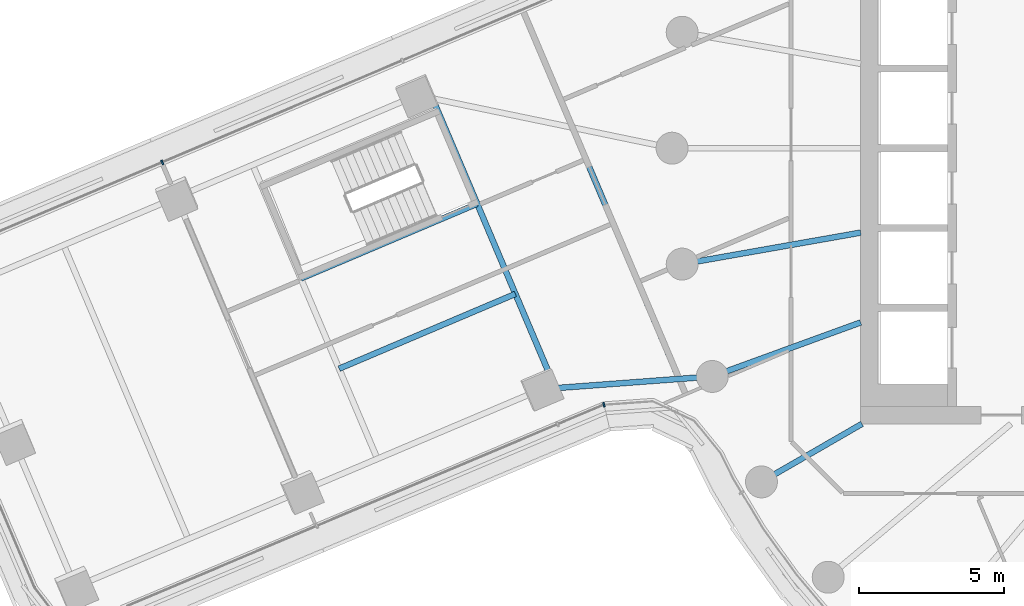
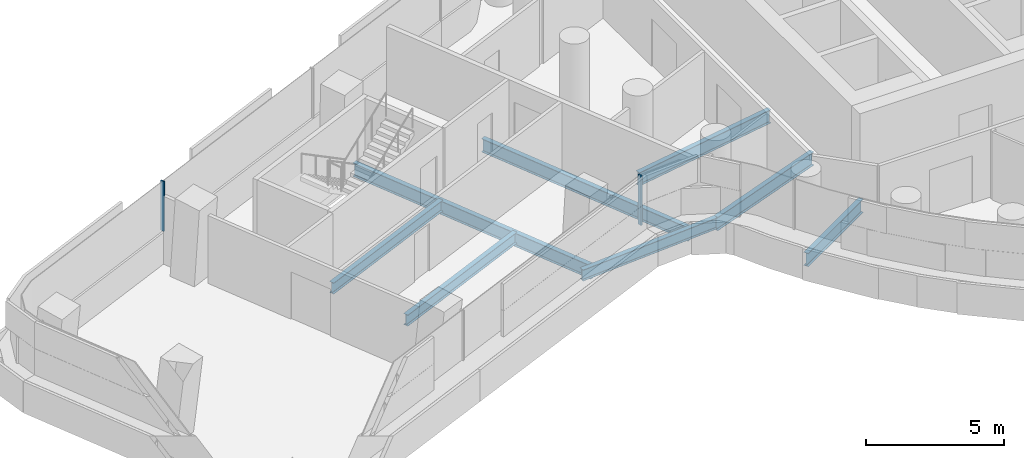
# One storey, part 6 of 35: 8 beams, 2 members, 2 elements without a shape of their own.
"""IFC4 building model written with IfcOpenShell, lengths in metres."""

from ifc_helpers import new_model, si_unit, direction, frame, origin, origin_2d, place, context, subcontext, project, spatial, rectangle, i_section, extrude, material, layer, layer_set, material_profile, profile_set, type_object, element, aggregate, save


model = new_model("IFC4")

# Units and contexts
model_context = context("Model", 3, precision=1e-05, world=origin(), true_north=direction((0.0, 1.0)))
body_context = subcontext(model_context, "Body", "Model", "MODEL_VIEW")
ifc_project = project(units=[si_unit("LENGTHUNIT", "METRE"), si_unit("AREAUNIT", "SQUARE_METRE"), si_unit("VOLUMEUNIT", "CUBIC_METRE"), si_unit("PLANEANGLEUNIT", "RADIAN"), si_unit("MASSUNIT", "GRAM", prefix="KILO")], contexts=[model_context])

# Site, building, storey
site_placement = place(None, origin())
site = spatial("IfcSite", under=ifc_project, at=site_placement, CompositionType="ELEMENT")
building_placement = place(site_placement, origin())
building = spatial("IfcBuilding", under=site, at=building_placement, Name="Tamarind Cross Interchange Tower", CompositionType="ELEMENT")
storey_placement = place(building_placement, frame((0.0, 0.0, 117.25)))
storey = spatial("IfcBuildingStorey", under=building, at=storey_placement, Name="L28", CompositionType="ELEMENT", Elevation=117.25)

# Beams
ifc_material_1 = material(Name="Steel Q355B", Category="steel")
ifc_material_profile_1 = material_profile(ifc_material_1, i_section(OverallWidth=0.198974609375, OverallDepth=0.49609375, WebThickness=0.009033203125, FlangeThickness=0.013916015625, FilletRadius=0.012939453125, at=origin_2d()), Name="HN 496x199x9x14")
ifc_profile_set_1 = profile_set([ifc_material_profile_1], Name="Steel Q355B")
beam_type_1 = type_object("IfcBeamType", Name="Composite beam HN 496x199x9x14 Q355B", PredefinedType="BEAM", material=ifc_profile_set_1)
beam_1_placement = place(storey_placement, frame((-27.4931640625, -8.304443359375, -0.387939453125), z_axis=(0.997237393702, 0.074280418696, 0.0), x_axis=(-0.074280418696, 0.997237393702, 0.0)))
element("IfcBeam", 1, at=beam_1_placement, inside=storey, type_object=beam_type_1, Name="Beam W-linkep", PredefinedType="BEAM", context=body_context, shape_type="SweptSolid", body=[
    extrude(i_section(OverallWidth=0.198974609375, OverallDepth=0.49609375, WebThickness=0.009033203125, FlangeThickness=0.013916015625, FilletRadius=0.012939453125, at=origin_2d()), origin(), (0.0, 0.0, 1.0), 5.896484375),
])
for number, where, z_axis, x_axis, name in (
    (2, (-29.71484375, -1.91455078125, -0.387939453125), (-0.920596692778, -0.390514697861, 0.0), (0.390514697861, -0.920596692778, 0.0), "Beam W-tr1"),
    (3, (-28.39697265625, -5.021728515625, -0.387939453125), (-0.920596692778, -0.390514697861, 0.0), (0.390514697861, -0.920596692778, 0.0), "Beam W-stripp"),
):
    element("IfcBeam", number, at=place(storey_placement, frame(where, z_axis=z_axis, x_axis=x_axis)), inside=storey, type_object=beam_type_1, Name=name, PredefinedType="BEAM", context=body_context, shape_type="SweptSolid", body=[
        extrude(i_section(OverallWidth=0.198974609375, OverallDepth=0.49609375, WebThickness=0.009033203125, FlangeThickness=0.013916015625, FilletRadius=0.012939453125, at=origin_2d()), origin(), (0.0, 0.0, 1.0), 6.60009765625),
    ])
ifc_material_profile_2 = material_profile(ifc_material_1, i_section(OverallWidth=0.198974609375, OverallDepth=0.595947265625, WebThickness=0.010009765625, FlangeThickness=0.014892578125, FilletRadius=0.012939453125, at=origin_2d()), Name="HN 596x199x10x15")
ifc_profile_set_2 = profile_set([ifc_material_profile_2], Name="Steel Q355B")
beam_type_2 = type_object("IfcBeamType", Name="Composite beam HN 596x199x10x15 Q355B", PredefinedType="BEAM", material=ifc_profile_set_2)
beam_2_placement = place(storey_placement, frame((-22.650634765625, -3.993896484375, -0.43798828125), z_axis=(0.984809127561, 0.173640382036, 0.0), x_axis=(-0.173640382036, 0.984809127561, 0.0)))
element("IfcBeam", 4, at=beam_2_placement, inside=storey, type_object=beam_type_2, Name="Beam HH19", PredefinedType="BEAM", context=body_context, shape_type="SweptSolid", body=[
    extrude(i_section(OverallWidth=0.198974609375, OverallDepth=0.595947265625, WebThickness=0.010009765625, FlangeThickness=0.014892578125, FilletRadius=0.012939453125, at=origin_2d()), origin(), (0.0, 0.0, 1.0), 6.24560546875),
])
beam_3_placement = place(storey_placement, frame((-21.613037109375, -7.866455078125, -0.43798828125), z_axis=(0.939701685589, 0.341995236956, 0.0), x_axis=(-0.341995236956, 0.939701685589, 0.0)))
element("IfcBeam", 5, at=beam_3_placement, inside=storey, type_object=beam_type_2, Name="Beam HH20", PredefinedType="BEAM", context=body_context, shape_type="SweptSolid", body=[
    extrude(i_section(OverallWidth=0.198974609375, OverallDepth=0.595947265625, WebThickness=0.010009765625, FlangeThickness=0.014892578125, FilletRadius=0.012939453125, at=origin_2d()), origin(), (0.0, 0.0, 1.0), 5.441162109375),
])
beam_4_placement = place(storey_placement, frame((-19.918701171875, -11.5, -0.43798828125), z_axis=(0.866026010844, 0.49999894854, 0.0), x_axis=(-0.49999894854, 0.866026010844, 0.0)))
element("IfcBeam", 6, at=beam_4_placement, inside=storey, type_object=beam_type_2, Name="Beam HH21", PredefinedType="BEAM", context=body_context, shape_type="SweptSolid", body=[
    extrude(i_section(OverallWidth=0.198974609375, OverallDepth=0.595947265625, WebThickness=0.010009765625, FlangeThickness=0.014892578125, FilletRadius=0.012939453125, at=origin_2d()), origin(), (0.0, 0.0, 1.0), 4.0),
])
ifc_material_profile_3 = material_profile(ifc_material_1, i_section(OverallWidth=0.199951171875, OverallDepth=0.60009765625, WebThickness=0.010986328125, FlangeThickness=0.01708984375, FilletRadius=0.012939453125, at=origin_2d()), Name="HN 600x200x11x17")
ifc_profile_set_3 = profile_set([ifc_material_profile_3], Name="Steel Q355B")
beam_type_3 = type_object("IfcBeamType", Name="Composite beam HN 600x200x11x17 Q355B", PredefinedType="BEAM", material=ifc_profile_set_3)
beam_5_placement = place(storey_placement, frame((-31.2529296875, 1.7109375, -0.43994140625), z_axis=(0.390500109086, -0.920602881162, 0.0), x_axis=(0.920602881162, 0.390500109086, 0.0)))
element("IfcBeam", 7, at=beam_5_placement, inside=storey, type_object=beam_type_3, Name="Beam W-x298", PredefinedType="BEAM", context=body_context, shape_type="SweptSolid", body=[
    extrude(i_section(OverallWidth=0.199951171875, OverallDepth=0.60009765625, WebThickness=0.010986328125, FlangeThickness=0.01708984375, FilletRadius=0.012939453125, at=origin_2d()), origin(), (0.0, 0.0, 1.0), 10.841064453125),
])
beam_6_placement = place(storey_placement, frame((-26.42919921875, 0.7109375, -0.43994140625), z_axis=(0.390493874521, -0.920605525707, 0.0), x_axis=(0.920605525707, 0.390493874521, 0.0)))
element("IfcBeam", 8, at=beam_6_placement, inside=storey, type_object=beam_type_3, Name="Beam W-x258", PredefinedType="BEAM", context=body_context, shape_type="SweptSolid", body=[
    extrude(i_section(OverallWidth=0.199951171875, OverallDepth=0.60009765625, WebThickness=0.010986328125, FlangeThickness=0.01708984375, FilletRadius=0.012939453125, at=origin_2d()), origin(), (0.0, 0.0, 1.0), 9.409423828125),
])

# Curtain wall, member
ifc_material_2 = material(Name="Aluminium 6063-T6", Category="aluminium")
ifc_layer = layer(ifc_material_2, 0.159912109375)
ifc_layer_set = layer_set([ifc_layer], Name="Aluminium 6063-T6")
curtain_wall_type = type_object("IfcCurtainWallType", Name="Office curtain wall, 9.0 m bays", PredefinedType="NOTDEFINED", material=ifc_layer_set)
curtain_wall_1_placement = place(storey_placement, origin())
curtain_wall_1 = element("IfcCurtainWall", 9, at=curtain_wall_1_placement, inside=storey, type_object=curtain_wall_type, Name="CWS-L28-02", PredefinedType="NOTDEFINED")
ifc_material_profile_4 = material_profile(ifc_material_2, rectangle(XDim=0.06005859375, YDim=0.159912109375, at=origin_2d()), Name="Mullion CW1")
ifc_profile_set_4 = profile_set([ifc_material_profile_4], Name="Aluminium 6063-T6")
member_type = type_object("IfcMemberType", Name="Mullion CW1", PredefinedType="MULLION", material=ifc_profile_set_4)
member_1_placement = place(storey_placement, frame((-25.346923828125, -8.840576171875, 1.39990234375), z_axis=(0.0, 0.0, 1.0), x_axis=(0.972421022022, 0.233232407545, 0.0)))
member_1 = element("IfcMember", 10, at=member_1_placement, type_object=member_type, Name="CWM-L28-02-00", PredefinedType="MULLION", context=body_context, shape_type="SweptSolid", body=[
    extrude(rectangle(XDim=0.06005859375, YDim=0.159912109375, at=origin_2d()), origin(), (0.0, 0.0, 1.0), 2.210205078125),
])
aggregate(curtain_wall_1, [member_1])

curtain_wall_2_placement = place(storey_placement, origin())
curtain_wall_2 = element("IfcCurtainWall", 11, at=curtain_wall_2_placement, inside=storey, type_object=curtain_wall_type, Name="CWS-L28-15", PredefinedType="NOTDEFINED")
member_2_placement = place(storey_placement, frame((-40.566162109375, -0.48876953125, 1.39990234375), z_axis=(0.0, 0.0, 1.0), x_axis=(-0.920603025823, -0.390499768049, 0.0)))
member_2 = element("IfcMember", 12, at=member_2_placement, type_object=member_type, Name="CWM-L28-15-02", PredefinedType="MULLION", context=body_context, shape_type="SweptSolid", body=[
    extrude(rectangle(XDim=0.06005859375, YDim=0.159912109375, at=origin_2d()), origin(), (0.0, 0.0, 1.0), 2.210205078125),
])
aggregate(curtain_wall_2, [member_2])

save(model, "model.ifc")
